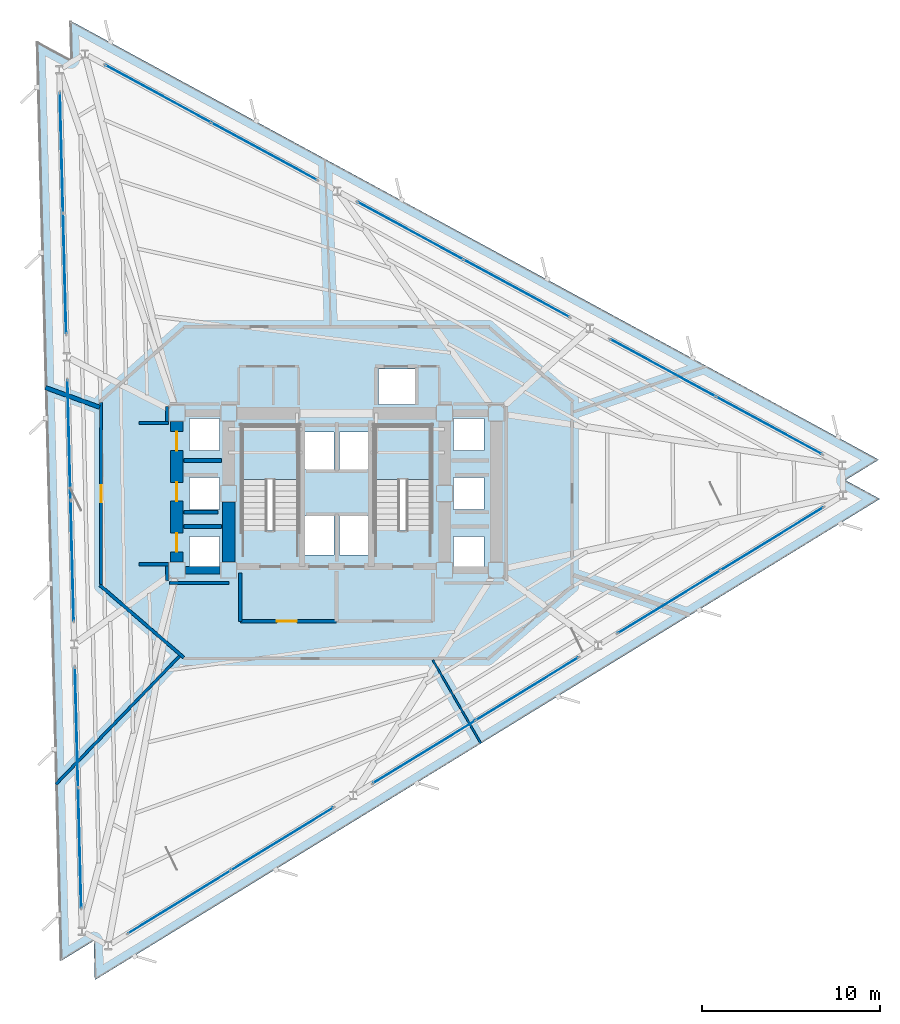
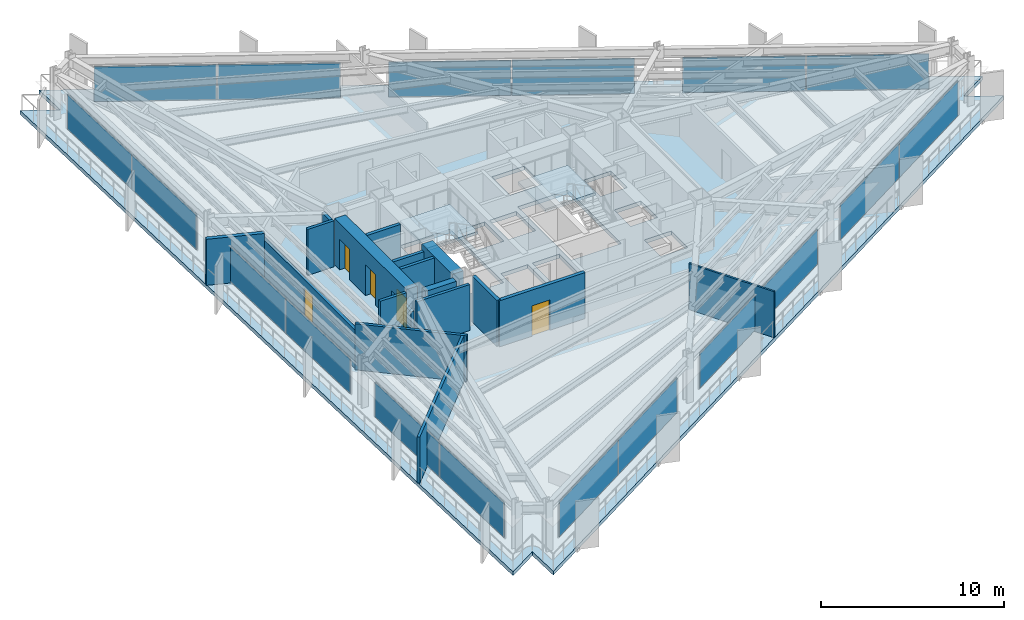
# One storey, part 7 of 14: 18 plates, 18 walls, 5 doors, 3 slabs, 5 openings, 11 elements without a shape of their own.
"""IFC4 building model written with IfcOpenShell, lengths in metres."""

import ifcopenshell
import ifcopenshell.guid

model = None  # the IFC model being written
_history = None  # IfcOwnerHistory: only IFC2X3 demands one
_inside = {}  # id of a spatial element -> (the spatial element, [elements in it])
_under = {}  # id of a project, library or spatial element -> (it, [spatial elements below it])
_declared = {}  # id of a project -> (the project, [libraries it declares])
_typed = {}  # id of a type object -> (the type object, [elements of that type])
_made_of = {}  # id of a material, layer set ... -> (it, [elements and type objects made of it])


def new_model(schema):
    """Start an empty IFC model of exactly this schema.

    Asked for "IFC4X3", IfcOpenShell would pick the latest addendum, in which some entities
    have other attributes; the version numbers below select the first issue.
    IFC2X3 requires an IfcOwnerHistory on every rooted entity: one is made here for all.
    """
    global model, _history
    if schema == "IFC4X3":
        model = ifcopenshell.file(schema_version=(4, 3, 0, 0))
    else:
        model = ifcopenshell.file(schema=schema)
    _inside.clear()
    _under.clear()
    _declared.clear()
    _typed.clear()
    _made_of.clear()
    _history = None
    if model.schema == "IFC2X3":
        org = make("IfcOrganization", Name="unknown")
        user = make(
            "IfcPersonAndOrganization",
            ThePerson=make("IfcPerson", FamilyName="unknown"),
            TheOrganization=org,
        )
        app = make(
            "IfcApplication",
            ApplicationDeveloper=org,
            Version="unknown",
            ApplicationFullName="unknown",
            ApplicationIdentifier="unknown",
        )
        _history = make(
            "IfcOwnerHistory",
            OwningUser=user,
            OwningApplication=app,
            ChangeAction="ADDED",
            CreationDate=0,
        )
    return model


def make(cls, **values):
    """One entity of the class cls with the attributes given. An attribute that is None is left unset."""
    return model.create_entity(
        cls, **{name: value for name, value in values.items() if value is not None}
    )


def rooted(cls, **values):
    """An entity with a GlobalId (a new one), such as an element, a storey or a relation."""
    return make(cls, GlobalId=ifcopenshell.guid.new(), OwnerHistory=_history, **values)


def si_unit(unit_type, name, prefix=None):
    """IfcSIUnit, for example si_unit("LENGTHUNIT", "METRE", prefix="MILLI")."""
    return make("IfcSIUnit", UnitType=unit_type, Prefix=prefix, Name=name)


def assignment(units):
    """IfcUnitAssignment: the units of a project."""
    return None if units is None else make("IfcUnitAssignment", Units=units)


def point(xyz):
    """IfcCartesianPoint."""
    return None if xyz is None else make("IfcCartesianPoint", Coordinates=xyz)


def direction(xyz):
    """IfcDirection."""
    return None if xyz is None else make("IfcDirection", DirectionRatios=xyz)


def frame(location, z_axis=None, x_axis=None):
    """IfcAxis2Placement3D, a coordinate frame: its origin and axes. An axis left out is left unset."""
    return make(
        "IfcAxis2Placement3D",
        Location=point(location),
        Axis=direction(z_axis),
        RefDirection=direction(x_axis),
    )


def frame_2d(location, x_axis=None):
    """IfcAxis2Placement2D, a coordinate frame in the plane: its origin and x axis."""
    return make(
        "IfcAxis2Placement2D", Location=point(location), RefDirection=direction(x_axis)
    )


def origin():
    """The frame at (0, 0, 0) with its axes left unset."""
    return frame((0.0, 0.0, 0.0))


def origin_2d():
    """The frame at (0, 0) in the plane with its x axis left unset."""
    return frame_2d((0.0, 0.0))


def place(relative_to, where):
    """IfcLocalPlacement: puts the frame where relative to a parent placement (None: the world)."""
    return make(
        "IfcLocalPlacement", PlacementRelTo=relative_to, RelativePlacement=where
    )


def context(
    kind, dimensions, precision=None, world=None, true_north=None, identifier=None
):
    """IfcGeometricRepresentationContext, for example the 3D "Model" context."""
    return make(
        "IfcGeometricRepresentationContext",
        ContextIdentifier=identifier,
        ContextType=kind,
        CoordinateSpaceDimension=dimensions,
        Precision=precision,
        WorldCoordinateSystem=world,
        TrueNorth=true_north,
    )


def subcontext(parent, identifier, kind, view, scale=None):
    """IfcGeometricRepresentationSubContext, for example "Body" below "Model"."""
    return make(
        "IfcGeometricRepresentationSubContext",
        ContextIdentifier=identifier,
        ContextType=kind,
        ParentContext=parent,
        TargetScale=scale,
        TargetView=view,
    )


def project(units=None, contexts=None):
    """IfcProject with its units and contexts."""
    return rooted(
        "IfcProject",
        Name="project",
        RepresentationContexts=contexts,
        UnitsInContext=assignment(units),
    )


def spatial(cls, under=None, at=None, **own):
    """A site, building, storey or space (cls), placed at a placement, below another one or the project."""
    s = rooted(cls, ObjectPlacement=at, **own)
    if under is not None:
        _under.setdefault(under.id(), (under, []))[1].append(s)
    return s


def polyline(points):
    """IfcPolyline through the points."""
    return make("IfcPolyline", Points=[point(p) for p in points])


def profile(cls, at=None, kind="AREA", **sizes):
    """A parametric profile (cls). Its sizes go by their IFC names, for example OverallWidth=200.0."""
    return make(cls, ProfileType=kind, Position=at, **sizes)


def rectangle(**sizes):
    """IfcRectangleProfileDef."""
    return profile("IfcRectangleProfileDef", **sizes)


def outline(outer, holes=None, kind="AREA"):
    """IfcArbitraryClosedProfileDef: a profile drawn as a closed curve; with holes, ...WithVoids."""
    if holes is None:
        return make("IfcArbitraryClosedProfileDef", ProfileType=kind, OuterCurve=outer)
    return make(
        "IfcArbitraryProfileDefWithVoids",
        ProfileType=kind,
        OuterCurve=outer,
        InnerCurves=holes,
    )


def extrude(swept, where, along, depth):
    """IfcExtrudedAreaSolid: the profile swept, set in the frame where, extruded along a direction by depth."""
    return make(
        "IfcExtrudedAreaSolid",
        SweptArea=swept,
        Position=where,
        ExtrudedDirection=direction(along),
        Depth=depth,
    )


def shape(context_of_items, identifier, shape_type, items):
    """IfcShapeRepresentation: the items that make up one representation, for example the "Body"."""
    return make(
        "IfcShapeRepresentation",
        ContextOfItems=context_of_items,
        RepresentationIdentifier=identifier,
        RepresentationType=shape_type,
        Items=items,
    )


def material(Name=None, Category=None):
    """IfcMaterial."""
    return make("IfcMaterial", Name=Name, Category=Category)


def layer(
    of_material, thickness, ventilated=None, Name=None, Category=None, Priority=None
):
    """IfcMaterialLayer: one layer of a wall or slab, of a material (None: an air gap)."""
    return make(
        "IfcMaterialLayer",
        Material=of_material,
        LayerThickness=thickness,
        IsVentilated=ventilated,
        Name=Name,
        Category=Category,
        Priority=Priority,
    )


def layer_set(layers, Name=None):
    """IfcMaterialLayerSet."""
    return make("IfcMaterialLayerSet", MaterialLayers=layers, LayerSetName=Name)


def made_of(thing, what):
    """Note that an element or type object is made of a material, layer set ...; save() writes the relation."""
    if what is not None:
        _made_of.setdefault(what.id(), (what, []))[1].append(thing)
    return thing


def type_object(cls, material=None, **own):
    """A type object (cls), such as IfcWallType, which elements share."""
    return made_of(rooted(cls, **own), material)


def element(
    cls,
    number,
    at=None,
    inside=None,
    cuts=None,
    type_object=None,
    material=None,
    context=None,
    identifier="Body",
    shape_type=None,
    held_by="IfcProductDefinitionShape",
    body=None,
    shapes=None,
    **own,
):
    """One element of the class cls, such as IfcWall. Its Tag is "e" and its number.

    at: its placement. inside: the storey or other place that contains it. cuts: it is an
    opening in that element (IfcRelVoidsElement). A single representation is given by context,
    identifier, shape_type and body (its items); several are given by shapes. held_by: the class
    of the entity that holds the representations. save() writes the other relations.
    """
    e = rooted(cls, Tag="e%d" % number, ObjectPlacement=at, **own)
    if body is not None:
        shapes = [shape(context, identifier, shape_type, body)]
    if shapes is not None:
        e.Representation = make(held_by, Representations=shapes)
    if inside is not None:
        _inside.setdefault(inside.id(), (inside, []))[1].append(e)
    if cuts is not None:
        rooted(
            "IfcRelVoidsElement", RelatingBuildingElement=cuts, RelatedOpeningElement=e
        )
    if type_object is not None:
        _typed.setdefault(type_object.id(), (type_object, []))[1].append(e)
    return made_of(e, material)


def fill(opening, filler):
    """IfcRelFillsElement: the door or window that sits in an opening."""
    return rooted(
        "IfcRelFillsElement",
        RelatingOpeningElement=opening,
        RelatedBuildingElement=filler,
    )


def aggregate(whole, parts):
    """IfcRelAggregates: a whole, such as a stair, and the parts it consists of."""
    return rooted("IfcRelAggregates", RelatingObject=whole, RelatedObjects=parts)


def save(model, path):
    """Write the relations noted so far, then the file.

    IfcRelAggregates (storeys below a building ...), IfcRelContainedInSpatialStructure (elements
    in a storey), IfcRelDefinesByType, IfcRelAssociatesMaterial and IfcRelDeclares: one each for
    every whole, place, type object, material and project.
    """
    for whole, parts in _under.values():
        aggregate(whole, parts)
    for where, things in _inside.values():
        rooted(
            "IfcRelContainedInSpatialStructure",
            RelatedElements=things,
            RelatingStructure=where,
        )
    for kind, things in _typed.values():
        rooted("IfcRelDefinesByType", RelatedObjects=things, RelatingType=kind)
    for what, things in _made_of.values():
        rooted("IfcRelAssociatesMaterial", RelatedObjects=things, RelatingMaterial=what)
    for by, libraries in _declared.values():
        rooted("IfcRelDeclares", RelatingContext=by, RelatedDefinitions=libraries)
    model.write(path)


model = new_model("IFC4")

# Units and contexts
model_context = context("Model", 3, precision=1e-05, world=origin(), true_north=direction((0.0, 1.0)))
body_context = subcontext(model_context, "Body", "Model", "MODEL_VIEW")
ifc_project = project(units=[si_unit("LENGTHUNIT", "METRE"), si_unit("AREAUNIT", "SQUARE_METRE"), si_unit("VOLUMEUNIT", "CUBIC_METRE"), si_unit("PLANEANGLEUNIT", "RADIAN"), si_unit("MASSUNIT", "GRAM", prefix="KILO")], contexts=[model_context])

# Site, building, storey
site_placement = place(None, origin())
site = spatial("IfcSite", under=ifc_project, at=site_placement, CompositionType="ELEMENT")
building_placement = place(site_placement, origin())
building = spatial("IfcBuilding", under=site, at=building_placement, Name="Rocaltana Carrier Exchange", CompositionType="ELEMENT")
storey_placement = place(building_placement, frame((0.0, 0.0, 39.0400390625)))
storey = spatial("IfcBuildingStorey", under=building, at=storey_placement, Name="L12", CompositionType="ELEMENT", Elevation=39.0400390625)

# Curtain wall, plates
ifc_material_1 = material(Name="Aluminium 6063-T6", Category="aluminium")
ifc_layer_1 = layer(ifc_material_1, 0.179931640625)
ifc_layer_set_1 = layer_set([ifc_layer_1], Name="Aluminium 6063-T6")
curtain_wall_type = type_object("IfcCurtainWallType", Name="Sandstone Spandrel Unitised Curtain Wall CW-01", PredefinedType="NOTDEFINED", material=ifc_layer_set_1)
curtain_wall_1_placement = place(storey_placement, origin())
curtain_wall_1 = element("IfcCurtainWall", 1, at=curtain_wall_1_placement, inside=storey, type_object=curtain_wall_type, Name="L12 CW-01 Run CW-L12-F1S1", PredefinedType="NOTDEFINED")
ifc_material_2 = material(Name="Tempered Laminated Glass", Category="glass")
ifc_layer_2 = layer(ifc_material_2, 0.0439453125)
ifc_layer_set_2 = layer_set([ifc_layer_2], Name="Tempered Laminated Glass")
plate_type = type_object("IfcPlateType", Name="CW-01 Stone-Insulated Vision Panel", PredefinedType="CURTAIN_PANEL", material=ifc_layer_set_2)
plate_1_placement = place(storey_placement, frame((24.23974609375, 3.8115234375, 0.06494140625), z_axis=(0.0, 0.0, 1.0), x_axis=(-0.878815639636, 0.477161473226, 0.0)))
plate_1 = element("IfcPlate", 2, at=plate_1_placement, type_object=plate_type, Name="CW-01 panel 1.1", PredefinedType="CURTAIN_PANEL", context=body_context, shape_type="SweptSolid", body=[
    extrude(rectangle(XDim=6.702392578125, YDim=0.0439453125, at=origin_2d()), origin(), (0.0, 0.0, 1.0), 2.347900390625),
])
plate_2_placement = place(storey_placement, frame((18.29248046875, 7.04052734375, 0.06494140625), z_axis=(0.0, 0.0, 1.0), x_axis=(-0.878815639636, 0.477161473226, 0.0)))
plate_2 = element("IfcPlate", 3, at=plate_2_placement, type_object=plate_type, Name="CW-01 panel 2.1", PredefinedType="CURTAIN_PANEL", context=body_context, shape_type="SweptSolid", body=[
    extrude(rectangle(XDim=6.702392578125, YDim=0.0439453125, at=origin_2d()), origin(), (0.0, 0.0, 1.0), 2.347900390625),
])
aggregate(curtain_wall_1, [plate_1, plate_2])

curtain_wall_2_placement = place(storey_placement, origin())
curtain_wall_2 = element("IfcCurtainWall", 4, at=curtain_wall_2_placement, inside=storey, type_object=curtain_wall_type, Name="L12 CW-01 Run CW-L12-F1S2", PredefinedType="NOTDEFINED")
plate_3_placement = place(storey_placement, frame((10.0908203125, 11.49365234375, 0.06494140625), z_axis=(0.0, 0.0, 1.0), x_axis=(-0.878814230428, 0.477164068636, 0.0)))
plate_3 = element("IfcPlate", 5, at=plate_3_placement, type_object=plate_type, Name="CW-01 panel 1.1", PredefinedType="CURTAIN_PANEL", context=body_context, shape_type="SweptSolid", body=[
    extrude(rectangle(XDim=6.70263671875, YDim=0.0439453125, at=origin_2d()), origin(), (0.0, 0.0, 1.0), 2.347900390625),
])
plate_4_placement = place(storey_placement, frame((4.1435546875, 14.722900390625, 0.06494140625), z_axis=(0.0, 0.0, 1.0), x_axis=(-0.878814230428, 0.477164068636, 0.0)))
plate_4 = element("IfcPlate", 6, at=plate_4_placement, type_object=plate_type, Name="CW-01 panel 2.1", PredefinedType="CURTAIN_PANEL", context=body_context, shape_type="SweptSolid", body=[
    extrude(rectangle(XDim=6.70263671875, YDim=0.0439453125, at=origin_2d()), origin(), (0.0, 0.0, 1.0), 2.347900390625),
])
aggregate(curtain_wall_2, [plate_3, plate_4])

curtain_wall_3_placement = place(storey_placement, origin())
curtain_wall_3 = element("IfcCurtainWall", 7, at=curtain_wall_3_placement, inside=storey, type_object=curtain_wall_type, Name="L12 CW-01 Run CW-L12-F1S3", PredefinedType="NOTDEFINED")
plate_5_placement = place(storey_placement, frame((-4.05810546875, 19.176025390625, 0.06494140625), z_axis=(0.0, 0.0, 1.0), x_axis=(-0.878818722982, 0.477155794406, 0.0)))
plate_5 = element("IfcPlate", 8, at=plate_5_placement, type_object=plate_type, Name="CW-01 panel 1.1", PredefinedType="CURTAIN_PANEL", context=body_context, shape_type="SweptSolid", body=[
    extrude(rectangle(XDim=6.702392578125, YDim=0.0439453125, at=origin_2d()), origin(), (0.0, 0.0, 1.0), 2.347900390625),
])
plate_6_placement = place(storey_placement, frame((-10.00537109375, 22.405029296875, 0.06494140625), z_axis=(0.0, 0.0, 1.0), x_axis=(-0.878818722982, 0.477155794406, 0.0)))
plate_6 = element("IfcPlate", 9, at=plate_6_placement, type_object=plate_type, Name="CW-01 panel 2.1", PredefinedType="CURTAIN_PANEL", context=body_context, shape_type="SweptSolid", body=[
    extrude(rectangle(XDim=6.702392578125, YDim=0.0439453125, at=origin_2d()), origin(), (0.0, 0.0, 1.0), 2.347900390625),
])
aggregate(curtain_wall_3, [plate_5, plate_6])

curtain_wall_4_placement = place(storey_placement, origin())
curtain_wall_4 = element("IfcCurtainWall", 10, at=curtain_wall_4_placement, inside=storey, type_object=curtain_wall_type, Name="L12 CW-01 Run CW-L12-F2S1", PredefinedType="NOTDEFINED")
plate_7_placement = place(storey_placement, frame((-15.420654296875, 19.086669921875, 0.06494140625), z_axis=(0.0, 0.0, 1.0), x_axis=(0.026183895077, -0.999657143044, 0.0)))
plate_7 = element("IfcPlate", 11, at=plate_7_placement, type_object=plate_type, Name="CW-01 panel 1.1", PredefinedType="CURTAIN_PANEL", context=body_context, shape_type="SweptSolid", body=[
    extrude(rectangle(XDim=6.702392578125, YDim=0.0439453125, at=origin_2d()), origin(), (0.0, 0.0, 1.0), 2.347900390625),
])
plate_8_placement = place(storey_placement, frame((-15.24365234375, 12.321533203125, 0.06494140625), z_axis=(0.0, 0.0, 1.0), x_axis=(0.026183895077, -0.999657143044, 0.0)))
plate_8 = element("IfcPlate", 12, at=plate_8_placement, type_object=plate_type, Name="CW-01 panel 2.1", PredefinedType="CURTAIN_PANEL", context=body_context, shape_type="SweptSolid", body=[
    extrude(rectangle(XDim=6.702392578125, YDim=0.0439453125, at=origin_2d()), origin(), (0.0, 0.0, 1.0), 2.347900390625),
])
aggregate(curtain_wall_4, [plate_7, plate_8])

curtain_wall_5_placement = place(storey_placement, origin())
curtain_wall_5 = element("IfcCurtainWall", 13, at=curtain_wall_5_placement, inside=storey, type_object=curtain_wall_type, Name="L12 CW-01 Run CW-L12-F2S2", PredefinedType="NOTDEFINED")
plate_9_placement = place(storey_placement, frame((-14.999267578125, 2.9921875, 0.06494140625), z_axis=(0.0, 0.0, 1.0), x_axis=(0.026176547142, -0.99965733548, 0.0)))
plate_9 = element("IfcPlate", 14, at=plate_9_placement, type_object=plate_type, Name="CW-01 panel 1.1", PredefinedType="CURTAIN_PANEL", context=body_context, shape_type="SweptSolid", body=[
    extrude(rectangle(XDim=6.702392578125, YDim=0.0439453125, at=origin_2d()), origin(), (0.0, 0.0, 1.0), 2.347900390625),
])
plate_10_placement = place(storey_placement, frame((-14.822021484375, -3.77294921875, 0.06494140625), z_axis=(0.0, 0.0, 1.0), x_axis=(0.026176547142, -0.99965733548, 0.0)))
plate_10 = element("IfcPlate", 15, at=plate_10_placement, type_object=plate_type, Name="CW-01 panel 2.1", PredefinedType="CURTAIN_PANEL", context=body_context, shape_type="SweptSolid", body=[
    extrude(rectangle(XDim=6.702392578125, YDim=0.0439453125, at=origin_2d()), origin(), (0.0, 0.0, 1.0), 2.347900390625),
])
aggregate(curtain_wall_5, [plate_9, plate_10])

curtain_wall_6_placement = place(storey_placement, origin())
curtain_wall_6 = element("IfcCurtainWall", 16, at=curtain_wall_6_placement, inside=storey, type_object=curtain_wall_type, Name="L12 CW-01 Run CW-L12-F2S3", PredefinedType="NOTDEFINED")
plate_11_placement = place(storey_placement, frame((-14.577880859375, -13.102294921875, 0.06494140625), z_axis=(0.0, 0.0, 1.0), x_axis=(0.026183895077, -0.999657143044, 0.0)))
plate_11 = element("IfcPlate", 17, at=plate_11_placement, type_object=plate_type, Name="CW-01 panel 1.1", PredefinedType="CURTAIN_PANEL", context=body_context, shape_type="SweptSolid", body=[
    extrude(rectangle(XDim=6.702392578125, YDim=0.0439453125, at=origin_2d()), origin(), (0.0, 0.0, 1.0), 2.347900390625),
])
plate_12_placement = place(storey_placement, frame((-14.400634765625, -19.867431640625, 0.06494140625), z_axis=(0.0, 0.0, 1.0), x_axis=(0.026183895077, -0.999657143044, 0.0)))
plate_12 = element("IfcPlate", 18, at=plate_12_placement, type_object=plate_type, Name="CW-01 panel 2.1", PredefinedType="CURTAIN_PANEL", context=body_context, shape_type="SweptSolid", body=[
    extrude(rectangle(XDim=6.702392578125, YDim=0.0439453125, at=origin_2d()), origin(), (0.0, 0.0, 1.0), 2.347900390625),
])
aggregate(curtain_wall_6, [plate_11, plate_12])

curtain_wall_7_placement = place(storey_placement, origin())
curtain_wall_7 = element("IfcCurtainWall", 19, at=curtain_wall_7_placement, inside=storey, type_object=curtain_wall_type, Name="L12 CW-01 Run CW-L12-F3S1", PredefinedType="NOTDEFINED")
plate_13_placement = place(storey_placement, frame((-8.819091796875, -22.898193359375, 0.06494140625), z_axis=(0.0, 0.0, 1.0), x_axis=(0.852636123996, 0.522505157925, 0.0)))
plate_13 = element("IfcPlate", 20, at=plate_13_placement, type_object=plate_type, Name="CW-01 panel 1.1", PredefinedType="CURTAIN_PANEL", context=body_context, shape_type="SweptSolid", body=[
    extrude(rectangle(XDim=6.70263671875, YDim=0.0439453125, at=origin_2d()), origin(), (0.0, 0.0, 1.0), 2.347900390625),
])
plate_14_placement = place(storey_placement, frame((-3.048828125, -19.362060546875, 0.06494140625), z_axis=(0.0, 0.0, 1.0), x_axis=(0.852636123996, 0.522505157925, 0.0)))
plate_14 = element("IfcPlate", 21, at=plate_14_placement, type_object=plate_type, Name="CW-01 panel 2.1", PredefinedType="CURTAIN_PANEL", context=body_context, shape_type="SweptSolid", body=[
    extrude(rectangle(XDim=6.70263671875, YDim=0.0439453125, at=origin_2d()), origin(), (0.0, 0.0, 1.0), 2.347900390625),
])
aggregate(curtain_wall_7, [plate_13, plate_14])

curtain_wall_8_placement = place(storey_placement, origin())
curtain_wall_8 = element("IfcCurtainWall", 22, at=curtain_wall_8_placement, inside=storey, type_object=curtain_wall_type, Name="L12 CW-01 Run CW-L12-F3S2", PredefinedType="NOTDEFINED")
plate_15_placement = place(storey_placement, frame((4.908447265625, -14.48583984375, 0.06494140625), z_axis=(0.0, 0.0, 1.0), x_axis=(0.852639399762, 0.522499812415, 0.0)))
plate_15 = element("IfcPlate", 23, at=plate_15_placement, type_object=plate_type, Name="CW-01 panel 1.1", PredefinedType="CURTAIN_PANEL", context=body_context, shape_type="SweptSolid", body=[
    extrude(rectangle(XDim=6.702392578125, YDim=0.0439453125, at=origin_2d()), origin(), (0.0, 0.0, 1.0), 2.347900390625),
])
plate_16_placement = place(storey_placement, frame((10.678466796875, -10.94970703125, 0.06494140625), z_axis=(0.0, 0.0, 1.0), x_axis=(0.852639399762, 0.522499812415, 0.0)))
plate_16 = element("IfcPlate", 24, at=plate_16_placement, type_object=plate_type, Name="CW-01 panel 2.1", PredefinedType="CURTAIN_PANEL", context=body_context, shape_type="SweptSolid", body=[
    extrude(rectangle(XDim=6.702392578125, YDim=0.0439453125, at=origin_2d()), origin(), (0.0, 0.0, 1.0), 2.347900390625),
])
aggregate(curtain_wall_8, [plate_15, plate_16])

curtain_wall_9_placement = place(storey_placement, origin())
curtain_wall_9 = element("IfcCurtainWall", 25, at=curtain_wall_9_placement, inside=storey, type_object=curtain_wall_type, Name="L12 CW-01 Run CW-L12-F3S3", PredefinedType="NOTDEFINED")
plate_17_placement = place(storey_placement, frame((18.6357421875, -6.07373046875, 0.06494140625), z_axis=(0.0, 0.0, 1.0), x_axis=(0.852639399762, 0.522499812415, 0.0)))
plate_17 = element("IfcPlate", 26, at=plate_17_placement, type_object=plate_type, Name="CW-01 panel 1.1", PredefinedType="CURTAIN_PANEL", context=body_context, shape_type="SweptSolid", body=[
    extrude(rectangle(XDim=6.702392578125, YDim=0.0439453125, at=origin_2d()), origin(), (0.0, 0.0, 1.0), 2.347900390625),
])
plate_18_placement = place(storey_placement, frame((24.406005859375, -2.53759765625, 0.06494140625), z_axis=(0.0, 0.0, 1.0), x_axis=(0.852639399762, 0.522499812415, 0.0)))
plate_18 = element("IfcPlate", 27, at=plate_18_placement, type_object=plate_type, Name="CW-01 panel 2.1", PredefinedType="CURTAIN_PANEL", context=body_context, shape_type="SweptSolid", body=[
    extrude(rectangle(XDim=6.702392578125, YDim=0.0439453125, at=origin_2d()), origin(), (0.0, 0.0, 1.0), 2.347900390625),
])
aggregate(curtain_wall_9, [plate_17, plate_18])

# Slab
ifc_material_3 = material(Name="Concrete C60/75", Category="concrete")
ifc_layer_3 = layer(ifc_material_3, 0.260009765625)
ifc_layer_set_3 = layer_set([ifc_layer_3], Name="Concrete C60/75")
slab_type_1 = type_object("IfcSlabType", Name="Low-Zone Tower Slab 260", PredefinedType="FLOOR", material=ifc_layer_set_3)
slab_1_placement = place(storey_placement, frame((0.0, 0.0, -0.260009765625)))
element("IfcSlab", 28, at=slab_1_placement, inside=storey, type_object=slab_type_1, Name="L12 Structural Floor Slab", PredefinedType="FLOOR", context=body_context, shape_type="SweptSolid", body=[
    extrude(outline(polyline([(30.444580078125, -0.30322265625), (28.51123046875, 0.74658203125), (30.38720703125, 1.89599609375), (-14.959716796875, 26.517578125), (-14.902099609375, 24.318115234375), (-16.835693359375, 25.367919921875), (-15.48486328125, -26.21435546875), (-13.609130859375, -25.064697265625), (-13.551513671875, -27.26416015625), (30.444580078125, -0.30322265625)]), holes=[polyline([(-5.300048828125, -2.06005859375), (-2.139892578125, -2.06005859375), (-2.139892578125, 3.800048828125), (-5.300048828125, 3.800048828125), (-5.300048828125, -2.06005859375)]), polyline([(2.139892578125, -2.06005859375), (5.300048828125, -2.06005859375), (5.300048828125, 3.800048828125), (2.139892578125, 3.800048828125), (2.139892578125, -2.06005859375)]), polyline([(-1.85009765625, -3.449951171875), (-0.14990234375, -3.449951171875), (-0.14990234375, -1.25), (-1.85009765625, -1.25), (-1.85009765625, -3.449951171875)]), polyline([(0.14990234375, -3.449951171875), (1.85009765625, -3.449951171875), (1.85009765625, -1.25), (0.14990234375, -1.25), (0.14990234375, -3.449951171875)]), polyline([(2.35009765625, 4.97998046875), (4.39990234375, 4.97998046875), (4.39990234375, 6.97998046875), (2.35009765625, 6.97998046875), (2.35009765625, 4.97998046875)]), polyline([(-1.85009765625, 1.35009765625), (-0.14990234375, 1.35009765625), (-0.14990234375, 3.449951171875), (-1.85009765625, 3.449951171875), (-1.85009765625, 1.35009765625)]), polyline([(0.14990234375, 1.35009765625), (1.85009765625, 1.35009765625), (1.85009765625, 3.449951171875), (0.14990234375, 3.449951171875), (0.14990234375, 1.35009765625)]), polyline([(-8.25, -4.199951171875), (-6.550048828125, -4.199951171875), (-6.550048828125, -2.39990234375), (-8.25, -2.39990234375), (-8.25, -4.199951171875)]), polyline([(-8.25, -0.89990234375), (-6.550048828125, -0.89990234375), (-6.550048828125, 0.89990234375), (-8.25, 0.89990234375), (-8.25, -0.89990234375)]), polyline([(-8.25, 2.39990234375), (-6.550048828125, 2.39990234375), (-6.550048828125, 4.199951171875), (-8.25, 4.199951171875), (-8.25, 2.39990234375)]), polyline([(6.550048828125, -4.199951171875), (8.25, -4.199951171875), (8.25, -2.39990234375), (6.550048828125, -2.39990234375), (6.550048828125, -4.199951171875)]), polyline([(6.550048828125, -0.89990234375), (8.25, -0.89990234375), (8.25, 0.89990234375), (6.550048828125, 0.89990234375), (6.550048828125, -0.89990234375)]), polyline([(6.550048828125, 2.39990234375), (8.25, 2.39990234375), (8.25, 4.199951171875), (6.550048828125, 4.199951171875), (6.550048828125, 2.39990234375)])]), origin(), (0.0, 0.0, 1.0), 0.260009765625),
])

# Stair, slab
ifc_material_4 = material(Name="Precast concrete C45/55", Category="concrete")
stair_type = type_object("IfcStairType", Name="Standard Dog-Leg Stair 160", PredefinedType="HALF_TURN_STAIR", material=ifc_material_4)
stair_1_placement = place(storey_placement, origin())
stair_1 = element("IfcStair", 29, at=stair_1_placement, inside=storey, type_object=stair_type, Name="L12 Core West Exit Stair ST-1", PredefinedType="HALF_TURN_STAIR")
ifc_material_5 = material(Name="Precast concrete C45/55", Category="concrete")
ifc_layer_4 = layer(ifc_material_5, 0.199951171875)
ifc_layer_set_4 = layer_set([ifc_layer_4], Name="Precast concrete C45/55")
slab_type_2 = type_object("IfcSlabType", Name="Precast Stair Half-Landing 200", PredefinedType="LANDING", material=ifc_layer_set_4)
slab_2_placement = place(storey_placement, frame((0.0, 0.0, 1.47998046875)))
slab_2 = element("IfcSlab", 30, at=slab_2_placement, type_object=slab_type_2, Name="ST-1 landing 1", PredefinedType="LANDING", context=body_context, shape_type="SweptSolid", body=[
    extrude(outline(polyline([(-2.139892578125, 0.780029296875), (-2.139892578125, 3.800048828125), (-5.300048828125, 3.800048828125), (-5.300048828125, 0.780029296875), (-2.139892578125, 0.780029296875)])), origin(), (0.0, 0.0, 1.0), 0.199951171875),
])
aggregate(stair_1, [slab_2])

stair_2_placement = place(storey_placement, origin())
stair_2 = element("IfcStair", 31, at=stair_2_placement, inside=storey, type_object=stair_type, Name="L12 Core East Exit Stair ST-2", PredefinedType="HALF_TURN_STAIR")
slab_3_placement = place(storey_placement, frame((0.0, 0.0, 1.47998046875)))
slab_3 = element("IfcSlab", 32, at=slab_3_placement, type_object=slab_type_2, Name="ST-2 landing 1", PredefinedType="LANDING", context=body_context, shape_type="SweptSolid", body=[
    extrude(outline(polyline([(5.300048828125, 0.780029296875), (5.300048828125, 3.800048828125), (2.139892578125, 3.800048828125), (2.139892578125, 0.780029296875), (5.300048828125, 0.780029296875)])), origin(), (0.0, 0.0, 1.0), 0.199951171875),
])
aggregate(stair_2, [slab_3])

# Walls
ifc_material_6 = material(Name="Double Acoustic Gypsum Partition", Category="gypsum")
ifc_layer_5 = layer(ifc_material_6, 0.159912109375)
ifc_layer_set_5 = layer_set([ifc_layer_5], Name="Double Acoustic Gypsum Partition")
wall_type_1 = type_object("IfcWallType", Name="Acoustic Studio Partition 160 EI60", PredefinedType="PARTITIONING", material=ifc_layer_set_5)
wall_1_placement = place(storey_placement, frame((-8.791748046875, -9.104248046875, 0.0), z_axis=(0.0, 0.0, 1.0), x_axis=(-0.694663387969, -0.719334954952, 0.0)))
element("IfcWall", 33, at=wall_1_placement, inside=storey, type_object=wall_type_1, Name="L12 Suite Divider Wall D1", PredefinedType="PARTITIONING", context=body_context, shape_type="SweptSolid", body=[
    extrude(rectangle(XDim=9.99462890625, YDim=0.159912109375, at=frame_2d((4.997314453125, 0.0))), origin(), (0.0, 0.0, 1.0), 3.072998046875),
])
ifc_material_7 = material(Name="Concrete C50/60", Category="concrete")
ifc_layer_6 = layer(ifc_material_7, 0.39990234375)
ifc_layer_set_6 = layer_set([ifc_layer_6], Name="Concrete C50/60")
wall_type_2 = type_object("IfcWallType", Name="Core Internal Shear Wall 400", PredefinedType="SHEAR", material=ifc_layer_set_6)
wall_2_placement = place(storey_placement, frame((-8.47509765625, -4.300048828125, 0.0), z_axis=(0.0, 0.0, 1.0), x_axis=(1.0, 0.0, 0.0)))
element("IfcWall", 34, at=wall_2_placement, inside=storey, type_object=wall_type_2, Name="L12 Core Shear Wall CW-WWS", PredefinedType="SHEAR", context=body_context, shape_type="SweptSolid", body=[
    extrude(rectangle(XDim=1.9501953125, YDim=0.39990234375, at=frame_2d((0.97509765625, 0.0))), origin(), (0.0, 0.0, 1.0), 3.097900390625),
])
ifc_material_8 = material(Name="Concrete C60/75", Category="concrete")
ifc_layer_7 = layer(ifc_material_8, 0.699951171875)
ifc_layer_set_7 = layer_set([ifc_layer_7], Name="Concrete C60/75")
wall_type_3 = type_object("IfcWallType", Name="Core Shear Wall 700", PredefinedType="SHEAR", material=ifc_layer_set_7)
wall_3_placement = place(storey_placement, frame((-6.050048828125, -3.824951171875, 0.0), z_axis=(0.0, 0.0, 1.0), x_axis=(0.0, 1.0, 0.0)))
element("IfcWall", 35, at=wall_3_placement, inside=storey, type_object=wall_type_3, Name="L12 Core Shear Wall CW-WS", PredefinedType="SHEAR", context=body_context, shape_type="SweptSolid", body=[
    extrude(rectangle(XDim=3.349853515625, YDim=0.699951171875, at=frame_2d((1.6748046875, 0.0))), origin(), (0.0, 0.0, 1.0), 3.097900390625),
])

# Wall, openings, doors
wall_4_placement = place(storey_placement, frame((-8.949951171875, -3.824951171875, 0.0), z_axis=(0.0, 0.0, 1.0), x_axis=(0.0, 1.0, 0.0)))
wall_4 = element("IfcWall", 36, at=wall_4_placement, inside=storey, type_object=wall_type_3, Name="L12 Core Shear Wall CW-WW", PredefinedType="SHEAR", context=body_context, shape_type="SweptSolid", body=[
    extrude(rectangle(XDim=7.849853515625, YDim=0.699951171875, at=frame_2d((3.9248046875, 0.0))), origin(), (0.0, 0.0, 1.0), 3.097900390625),
])
opening_1_placement = place(wall_4_placement, frame((0.550048828125, 0.0, 0.0)))
opening_1 = element("IfcOpeningElement", 37, at=opening_1_placement, cuts=wall_4, Name="Opening LD-110", PredefinedType="OPENING", context=body_context, shape_type="SweptSolid", body=[
    extrude(rectangle(XDim=1.06005859375, YDim=2.0400390625, at=frame_2d((0.530029296875, 1.02001953125))), frame((0.0, 0.35986328125, 0.0), z_axis=(0.0, -1.0, 0.0), x_axis=(1.0, 0.0, 0.0)), (0.0, 0.0, 1.0), 0.719970703125),
])
opening_2_placement = place(wall_4_placement, frame((3.39501953125, 0.0, 0.0)))
opening_2 = element("IfcOpeningElement", 38, at=opening_2_placement, cuts=wall_4, Name="Opening LD-110", PredefinedType="OPENING", context=body_context, shape_type="SweptSolid", body=[
    extrude(rectangle(XDim=1.06005859375, YDim=2.0400390625, at=frame_2d((0.530029296875, 1.02001953125))), frame((0.0, 0.35986328125, 0.0), z_axis=(0.0, -1.0, 0.0), x_axis=(1.0, 0.0, 0.0)), (0.0, 0.0, 1.0), 0.719970703125),
])
opening_3_placement = place(wall_4_placement, frame((6.22998046875, 0.0, 0.0)))
opening_3 = element("IfcOpeningElement", 39, at=opening_3_placement, cuts=wall_4, Name="Opening LD-110", PredefinedType="OPENING", context=body_context, shape_type="SweptSolid", body=[
    extrude(rectangle(XDim=1.06005859375, YDim=2.0400390625, at=frame_2d((0.530029296875, 1.02001953125))), frame((0.0, 0.35986328125, 0.0), z_axis=(0.0, -1.0, 0.0), x_axis=(1.0, 0.0, 0.0)), (0.0, 0.0, 1.0), 0.719970703125),
])
ifc_material_9 = material(Name="Brushed Stainless Sliding Door Leaf", Category="steel")
door_type_1 = type_object("IfcDoorType", Name="Lift Landing Sliding Door 1060x2040", OperationType="NOTDEFINED", PredefinedType="DOOR", material=ifc_material_9)
door_1_placement = place(opening_1_placement, origin())
door_1 = element("IfcDoor", 40, at=door_1_placement, inside=storey, type_object=door_type_1, Name="L12 Low-Rise Lift PL-L1 Landing Door", OperationType="SLIDING_TO_LEFT", OverallHeight=2.0400390625, OverallWidth=1.06005859375, PredefinedType="DOOR", context=body_context, shape_type="SweptSolid", body=[
    extrude(rectangle(XDim=1.06005859375, YDim=2.0400390625, at=frame_2d((0.530029296875, 1.02001953125))), frame((0.0, 0.02490234375, 0.0), z_axis=(0.0, -1.0, 0.0), x_axis=(1.0, 0.0, 0.0)), (0.0, 0.0, 1.0), 0.050048828125),
])
fill(opening_1, door_1)
door_2_placement = place(opening_2_placement, origin())
door_2 = element("IfcDoor", 41, at=door_2_placement, inside=storey, type_object=door_type_1, Name="L12 Low-Rise Lift PL-L2 Landing Door", OperationType="SLIDING_TO_RIGHT", OverallHeight=2.0400390625, OverallWidth=1.06005859375, PredefinedType="DOOR", context=body_context, shape_type="SweptSolid", body=[
    extrude(rectangle(XDim=1.06005859375, YDim=2.0400390625, at=frame_2d((0.530029296875, 1.02001953125))), frame((0.0, 0.02490234375, 0.0), z_axis=(0.0, -1.0, 0.0), x_axis=(1.0, 0.0, 0.0)), (0.0, 0.0, 1.0), 0.050048828125),
])
fill(opening_2, door_2)
door_3_placement = place(opening_3_placement, origin())
door_3 = element("IfcDoor", 42, at=door_3_placement, inside=storey, type_object=door_type_1, Name="L12 Low-Rise Lift PL-L3 Landing Door", OperationType="SLIDING_TO_LEFT", OverallHeight=2.0400390625, OverallWidth=1.06005859375, PredefinedType="DOOR", context=body_context, shape_type="SweptSolid", body=[
    extrude(rectangle(XDim=1.06005859375, YDim=2.0400390625, at=frame_2d((0.530029296875, 1.02001953125))), frame((0.0, 0.02490234375, 0.0), z_axis=(0.0, -1.0, 0.0), x_axis=(1.0, 0.0, 0.0)), (0.0, 0.0, 1.0), 0.050048828125),
])
fill(opening_3, door_3)

# Wall
ifc_material_10 = material(Name="Gypsum & Steel Stud Partition", Category="steel")
ifc_layer_8 = layer(ifc_material_10, 0.179931640625)
ifc_layer_set_8 = layer_set([ifc_layer_8], Name="Gypsum & Steel Stud Partition")
wall_type_4 = type_object("IfcWallType", Name="Corridor Fire Partition 180 EI60", PredefinedType="PARTITIONING", material=ifc_layer_set_8)
wall_5_placement = place(storey_placement, frame((-8.568115234375, -9.191162109375, 0.0), z_axis=(0.0, 0.0, 1.0), x_axis=(-0.757556899173, 0.652769135694, 0.0)))
element("IfcWall", 43, at=wall_5_placement, inside=storey, type_object=wall_type_4, Name="L12 Corridor Partition 6", PredefinedType="PARTITIONING", context=body_context, shape_type="SweptSolid", body=[
    extrude(rectangle(XDim=6.204345703125, YDim=0.179931640625, at=frame_2d((3.10205078125, 0.0))), origin(), (0.0, 0.0, 1.0), 3.072998046875),
])

# Wall, opening, door
wall_6_placement = place(storey_placement, frame((-13.199951171875, -5.110107421875, 0.0), z_axis=(0.0, 0.0, 1.0), x_axis=(0.0, 1.0, 0.0)))
wall_6 = element("IfcWall", 44, at=wall_6_placement, inside=storey, type_object=wall_type_4, Name="L12 Corridor Partition 7", PredefinedType="PARTITIONING", context=body_context, shape_type="SweptSolid", body=[
    extrude(rectangle(XDim=10.22021484375, YDim=0.179931640625, at=frame_2d((5.110107421875, 0.0))), origin(), (0.0, 0.0, 1.0), 2.5869140625),
])
opening_4_placement = place(wall_6_placement, frame((4.620849609375, 0.0, 0.0)))
opening_4 = element("IfcOpeningElement", 45, at=opening_4_placement, cuts=wall_6, Name="Opening D-RM098", PredefinedType="OPENING", context=body_context, shape_type="SweptSolid", body=[
    extrude(rectangle(XDim=0.9599609375, YDim=2.02001953125, at=frame_2d((0.47998046875, 1.010009765625))), frame((0.0, 0.099853515625, 0.0), z_axis=(0.0, -1.0, 0.0), x_axis=(1.0, 0.0, 0.0)), (0.0, 0.0, 1.0), 0.199951171875),
])
ifc_material_11 = material(Name="Engineered Hardwood Timber", Category="wood")
door_type_2 = type_object("IfcDoorType", Name="Workspace Single Door 960x2020", OperationType="NOTDEFINED", PredefinedType="DOOR", material=ifc_material_11)
door_4_placement = place(opening_4_placement, origin())
door_4 = element("IfcDoor", 46, at=door_4_placement, inside=storey, type_object=door_type_2, Name="L12 Quiet Focus Lounge Entrance Door", OperationType="SINGLE_SWING_RIGHT", OverallHeight=2.02001953125, OverallWidth=0.9599609375, PredefinedType="DOOR", context=body_context, shape_type="SweptSolid", body=[
    extrude(rectangle(XDim=0.9599609375, YDim=2.02001953125, at=frame_2d((0.47998046875, 1.010009765625))), frame((0.0, 0.02490234375, 0.0), z_axis=(0.0, -1.0, 0.0), x_axis=(1.0, 0.0, 0.0)), (0.0, 0.0, 1.0), 0.050048828125),
])
fill(opening_4, door_4)

# Walls
wall_7_placement = place(storey_placement, frame((-9.510009765625, 4.8701171875, 0.0), z_axis=(0.0, 0.0, 1.0), x_axis=(0.0, -1.0, 0.0)))
element("IfcWall", 47, at=wall_7_placement, inside=storey, type_object=wall_type_4, Name="L12 Corridor Partition 9", PredefinedType="PARTITIONING", context=body_context, shape_type="SweptSolid", body=[
    extrude(rectangle(XDim=0.820068359375, YDim=0.179931640625, at=frame_2d((0.41015625, 0.0))), origin(), (0.0, 0.0, 1.0), 3.072998046875),
])
for number, where, z_axis, x_axis, name in (
    (48, (-9.419921875, 3.9599609375, 0.0), (0.0, 0.0, 1.0), (-1.0, 0.0, 0.0), "L12 Corridor Partition 10"),
    (49, (-11.070068359375, -3.9599609375, 0.0), (0.0, 0.0, 1.0), (1.0, 0.0, 0.0), "L12 Corridor Partition 11"),
):
    element("IfcWall", number, at=place(storey_placement, frame(where, z_axis=z_axis, x_axis=x_axis)), inside=storey, type_object=wall_type_4, Name=name, PredefinedType="PARTITIONING", context=body_context, shape_type="SweptSolid", body=[
        extrude(rectangle(XDim=1.650146484375, YDim=0.179931640625, at=frame_2d((0.8251953125, 0.0))), origin(), (0.0, 0.0, 1.0), 3.072998046875),
    ])
wall_8_placement = place(storey_placement, frame((-9.510009765625, -4.050048828125, 0.0), z_axis=(0.0, 0.0, 1.0), x_axis=(0.0, -1.0, 0.0)))
element("IfcWall", 50, at=wall_8_placement, inside=storey, type_object=wall_type_4, Name="L12 Corridor Partition 12", PredefinedType="PARTITIONING", context=body_context, shape_type="SweptSolid", body=[
    extrude(rectangle(XDim=0.820068359375, YDim=0.179931640625, at=frame_2d((0.41015625, 0.0))), origin(), (0.0, 0.0, 1.0), 2.35791015625),
])
wall_9_placement = place(storey_placement, frame((-9.3701171875, -5.010009765625, 0.0), z_axis=(0.0, 0.0, 1.0), x_axis=(1.0, 0.0, 0.0)))
element("IfcWall", 51, at=wall_9_placement, inside=storey, type_object=wall_type_4, Name="L12 Corridor Partition 13", PredefinedType="PARTITIONING", context=body_context, shape_type="SweptSolid", body=[
    extrude(rectangle(XDim=3.340087890625, YDim=0.179931640625, at=frame_2d((1.669921875, 0.0))), origin(), (0.0, 0.0, 1.0), 3.072998046875),
])
ifc_material_12 = material(Name="Aluminium 6063-T6 & Acoustic Glass", Category="aluminium")
ifc_layer_9 = layer(ifc_material_12, 0.114990234375)
ifc_layer_set_9 = layer_set([ifc_layer_9], Name="Aluminium 6063-T6 & Acoustic Glass")
wall_type_5 = type_object("IfcWallType", Name="Demountable Glazed Lab Partition 115", PredefinedType="MOVABLE", material=ifc_layer_set_9)
wall_10_placement = place(storey_placement, frame((5.38671875, -9.330078125, 0.0), z_axis=(0.0, 0.0, 1.0), x_axis=(0.500023165436, -0.866012028801, 0.0)))
element("IfcWall", 52, at=wall_10_placement, inside=storey, type_object=wall_type_5, Name="L12 Suite Divider Wall D2", PredefinedType="MOVABLE", context=body_context, shape_type="SweptSolid", body=[
    extrude(rectangle(XDim=5.387939453125, YDim=0.114990234375, at=frame_2d((2.69384765625, 0.0))), origin(), (0.0, 0.0, 1.0), 3.072998046875),
])
ifc_material_13 = material(Name="Autoclaved Aerated Concrete C30/37", Category="concrete")
ifc_layer_10 = layer(ifc_material_13, 0.219970703125)
ifc_layer_set_10 = layer_set([ifc_layer_10], Name="Autoclaved Aerated Concrete C30/37")
wall_type_6 = type_object("IfcWallType", Name="Firefighting Lobby Wall 220 EI120", PredefinedType="PARTITIONING", material=ifc_layer_set_10)
wall_11_placement = place(storey_placement, frame((-5.39990234375, -7.159912109375, 0.0), z_axis=(0.0, 0.0, 1.0), x_axis=(0.0, 1.0, 0.0)))
element("IfcWall", 53, at=wall_11_placement, inside=storey, type_object=wall_type_6, Name="L12 FFL Lobby 1 West Wall", PredefinedType="PARTITIONING", context=body_context, shape_type="SweptSolid", body=[
    extrude(rectangle(XDim=2.7099609375, YDim=0.219970703125, at=frame_2d((1.35498046875, 0.0))), origin(), (0.0, 0.0, 1.0), 3.072998046875),
])

# Wall, opening, door
wall_12_placement = place(storey_placement, frame((-5.39990234375, -7.159912109375, 0.0), z_axis=(0.0, 0.0, 1.0), x_axis=(1.0, 0.0, 0.0)))
wall_12 = element("IfcWall", 54, at=wall_12_placement, inside=storey, type_object=wall_type_6, Name="L12 FFL Lobby 1 South Wall", PredefinedType="PARTITIONING", context=body_context, shape_type="SweptSolid", body=[
    extrude(rectangle(XDim=5.39990234375, YDim=0.219970703125, at=frame_2d((2.699951171875, 0.0))), origin(), (0.0, 0.0, 1.0), 3.072998046875),
])
opening_5_placement = place(wall_12_placement, frame((2.050048828125, 0.0, 0.0)))
opening_5 = element("IfcOpeningElement", 55, at=opening_5_placement, cuts=wall_12, Name="Opening D-FF115", PredefinedType="OPENING", context=body_context, shape_type="SweptSolid", body=[
    extrude(rectangle(XDim=1.1201171875, YDim=2.02001953125, at=frame_2d((0.56005859375, 1.010009765625))), frame((0.0, 0.119873046875, 0.0), z_axis=(0.0, -1.0, 0.0), x_axis=(1.0, 0.0, 0.0)), (0.0, 0.0, 1.0), 0.239990234375),
])
ifc_material_14 = material(Name="Hollow Metal Fire Door Assembly", Category="steel")
door_type_3 = type_object("IfcDoorType", Name="Firefighting Lobby Door 1120x2020 FD60S", OperationType="NOTDEFINED", PredefinedType="DOOR", material=ifc_material_14)
door_5_placement = place(opening_5_placement, origin())
door_5 = element("IfcDoor", 56, at=door_5_placement, inside=storey, type_object=door_type_3, Name="L12 Firefighting Lift Lobby 1 Door", OperationType="SINGLE_SWING_LEFT", OverallHeight=2.02001953125, OverallWidth=1.1201171875, PredefinedType="DOOR", context=body_context, shape_type="SweptSolid", body=[
    extrude(rectangle(XDim=1.1201171875, YDim=2.02001953125, at=frame_2d((0.56005859375, 1.010009765625))), frame((0.0, 0.02490234375, 0.0), z_axis=(0.0, -1.0, 0.0), x_axis=(1.0, 0.0, 0.0)), (0.0, 0.0, 1.0), 0.050048828125),
])
fill(opening_5, door_5)

# Walls
ifc_material_15 = material(Name="Acoustic Calcium Silicate Partition", Category="gypsum")
ifc_layer_11 = layer(ifc_material_15, 0.239990234375)
ifc_layer_set_11 = layer_set([ifc_layer_11], Name="Acoustic Calcium Silicate Partition")
wall_type_7 = type_object("IfcWallType", Name="Heavy Lab Partition 240 EI90", PredefinedType="PARTITIONING", material=ifc_layer_set_11)
wall_13_placement = place(storey_placement, frame((-13.280029296875, 4.83349609375, 0.0), z_axis=(0.0, 0.0, 1.0), x_axis=(-0.939702957278, 0.341991742712, 0.0)))
element("IfcWall", 57, at=wall_13_placement, inside=storey, type_object=wall_type_7, Name="L12 Suite Divider Wall D6", PredefinedType="PARTITIONING", context=body_context, shape_type="SweptSolid", body=[
    extrude(rectangle(XDim=3.231689453125, YDim=0.239990234375, at=frame_2d((1.61572265625, 0.0))), origin(), (0.0, 0.0, 1.0), 3.072998046875),
])
ifc_material_16 = material(Name="Reinforced Concrete Block C35/45", Category="concrete")
ifc_layer_12 = layer(ifc_material_16, 0.199951171875)
ifc_layer_set_12 = layer_set([ifc_layer_12], Name="Reinforced Concrete Block C35/45")
wall_type_8 = type_object("IfcWallType", Name="Lift Hoistway Enclosure Wall 200 EI120", PredefinedType="PARTITIONING", material=ifc_layer_set_12)
for number, where, z_axis, x_axis, name in (
    (58, (-8.550048828125, -1.85009765625, 0.0), (0.0, 0.0, 1.0), (1.0, 0.0, 0.0), "L12 Low-Rise Shaft Divider 1"),
    (59, (-8.550048828125, 1.85009765625, 0.0), (0.0, 0.0, 1.0), (1.0, 0.0, 0.0), "L12 Low-Rise Shaft Divider 2"),
):
    element("IfcWall", number, at=place(storey_placement, frame(where, z_axis=z_axis, x_axis=x_axis)), inside=storey, type_object=wall_type_8, Name=name, PredefinedType="PARTITIONING", context=body_context, shape_type="SweptSolid", body=[
        extrude(rectangle(XDim=2.10009765625, YDim=0.199951171875, at=frame_2d((1.050048828125, 0.0))), origin(), (0.0, 0.0, 1.0), 3.072998046875),
    ])
wall_14_placement = place(storey_placement, frame((-8.550048828125, -1.050048828125, 0.0), z_axis=(0.0, 0.0, 1.0), x_axis=(1.0, 0.0, 0.0)))
element("IfcWall", 60, at=wall_14_placement, inside=storey, type_object=wall_type_8, Name="L12 Low-Rise Center Shaft Wall South", PredefinedType="PARTITIONING", context=body_context, shape_type="SweptSolid", body=[
    extrude(rectangle(XDim=1.91015625, YDim=0.199951171875, at=frame_2d((0.955078125, 0.0))), origin(), (0.0, 0.0, 1.0), 3.072998046875),
])

save(model, "model.ifc")
